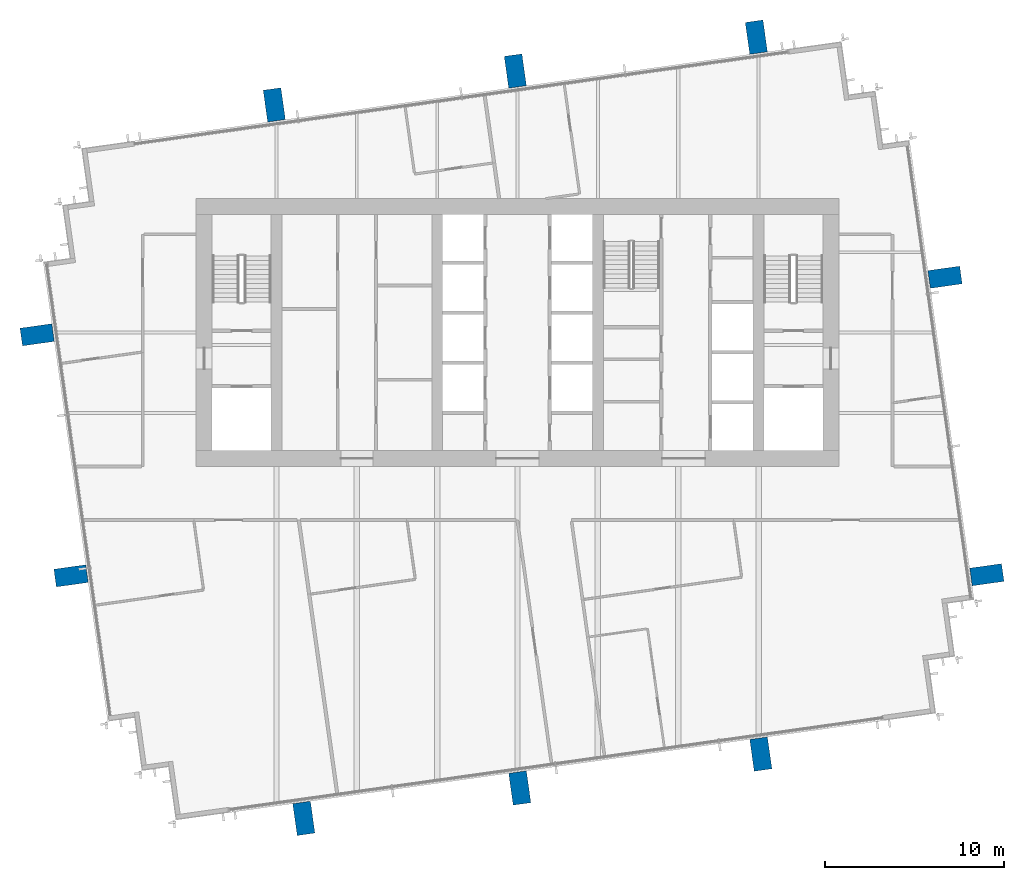
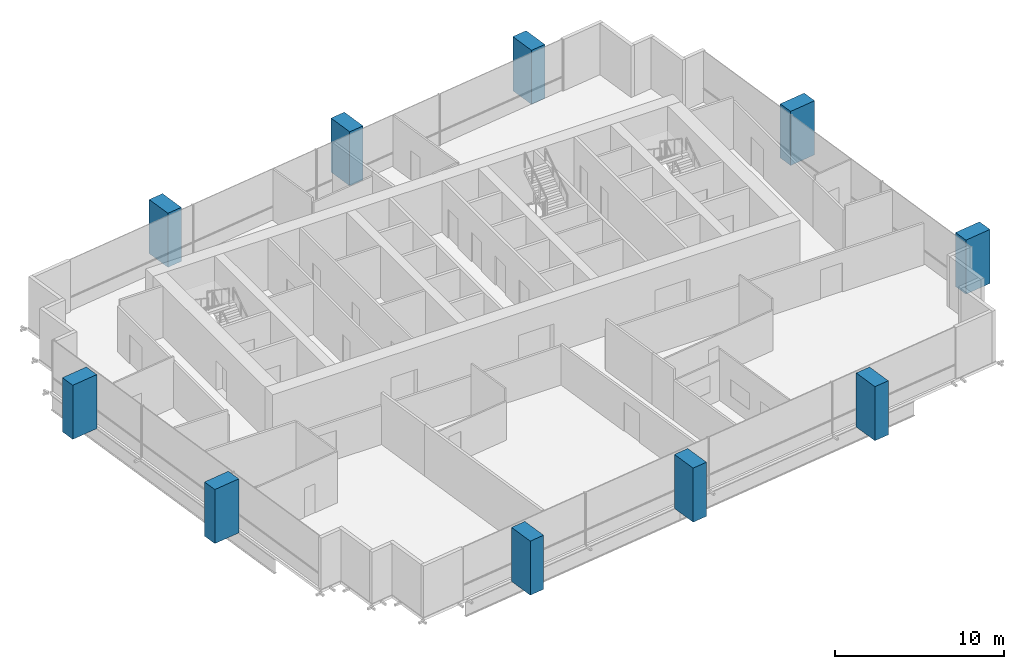
# One storey, part 1 of 12: 10 columns.
"""IFC4 building model written with IfcOpenShell, lengths in metres."""

from ifc_helpers import new_model, si_unit, direction, frame, origin, origin_2d, place, context, subcontext, project, spatial, rectangle, extrude, material, material_profile, profile_set, type_object, element, save


model = new_model("IFC4")

# Units and contexts
model_context = context("Model", 3, precision=1e-05, world=origin(), true_north=direction((0.0, 1.0)))
body_context = subcontext(model_context, "Body", "Model", "MODEL_VIEW")
ifc_project = project(units=[si_unit("LENGTHUNIT", "METRE"), si_unit("AREAUNIT", "SQUARE_METRE"), si_unit("VOLUMEUNIT", "CUBIC_METRE"), si_unit("PLANEANGLEUNIT", "RADIAN"), si_unit("MASSUNIT", "GRAM", prefix="KILO")], contexts=[model_context])

# Site, building, storey
site_placement = place(None, origin())
site = spatial("IfcSite", under=ifc_project, at=site_placement, CompositionType="ELEMENT")
building_placement = place(site_placement, origin())
building = spatial("IfcBuilding", under=site, at=building_placement, Name="Rattan Terrace Tower", CompositionType="ELEMENT")
storey_placement = place(building_placement, frame((0.0, 0.0, 282.39990234375)))
storey = spatial("IfcBuildingStorey", under=building, at=storey_placement, Name="L65", CompositionType="ELEMENT", Elevation=282.39990234375)

# Columns
ifc_material = material(Name="Concrete C40/50", Category="concrete")
ifc_material_profile = material_profile(ifc_material, rectangle(XDim=1.0, YDim=1.800048828125, at=origin_2d()), Name="CFT 1800x1000")
ifc_profile_set = profile_set([ifc_material_profile], Name="Concrete C40/50")
column_type = type_object("IfcColumnType", Name="Frame exoskeleton column CFT 1800x1000", PredefinedType="COLUMN", material=ifc_profile_set)
for number, where, z_axis, x_axis, name in (
    (1, (-11.970947265625, -27.208984375, -0.199951171875), (0.0, 0.0, 1.0), (0.990265639562, 0.139190384377, 0.0), "exo-L65-001"),
    (2, (0.125, -25.508056640625, -0.199951171875), (0.0, 0.0, 1.0), (0.990265639562, 0.139190384377, 0.0), "exo-L65-002"),
    (3, (13.625, -23.610107421875, -0.199951171875), (0.0, 0.0, 1.0), (0.990265639562, 0.139190384377, 0.0), "exo-L65-003"),
    (4, (-25.007080078125, -13.625, -0.199951171875), (0.0, 0.0, 1.0), (-0.139190384377, 0.990265639562, 0.0), "exo-L65-004"),
    (5, (26.283935546875, -13.56494140625, -0.199951171875), (0.0, 0.0, 1.0), (-0.139190384377, 0.990265639562, 0.0), "exo-L65-005"),
    (6, (-26.906005859375, -0.125, -0.199951171875), (0.0, 0.0, 1.0), (-0.139190384377, 0.990265639562, 0.0), "exo-L65-006"),
    (7, (23.94091796875, 3.10009765625, -0.199951171875), (0.0, 0.0, 1.0), (-0.139190384377, 0.990265639562, 0.0), "exo-L65-007"),
    (8, (-13.625, 12.7509765625, -0.199951171875), (0.0, 0.0, 1.0), (0.990265639562, 0.139190384377, 0.0), "exo-L65-008"),
    (9, (-0.125, 14.64794921875, -0.199951171875), (0.0, 0.0, 1.0), (0.990265639562, 0.139190384377, 0.0), "exo-L65-009"),
    (10, (13.375, 16.5458984375, -0.199951171875), (0.0, 0.0, 1.0), (0.990265639562, 0.139190384377, 0.0), "exo-L65-010"),
):
    element("IfcColumn", number, at=place(storey_placement, frame(where, z_axis=z_axis, x_axis=x_axis)), inside=storey, type_object=column_type, Name=name, PredefinedType="COLUMN", context=body_context, shape_type="SweptSolid", body=[
        extrude(rectangle(XDim=1.0, YDim=1.800048828125, at=origin_2d()), origin(), (0.0, 0.0, 1.0), 3.900146484375),
    ])

save(model, "model.ifc")
